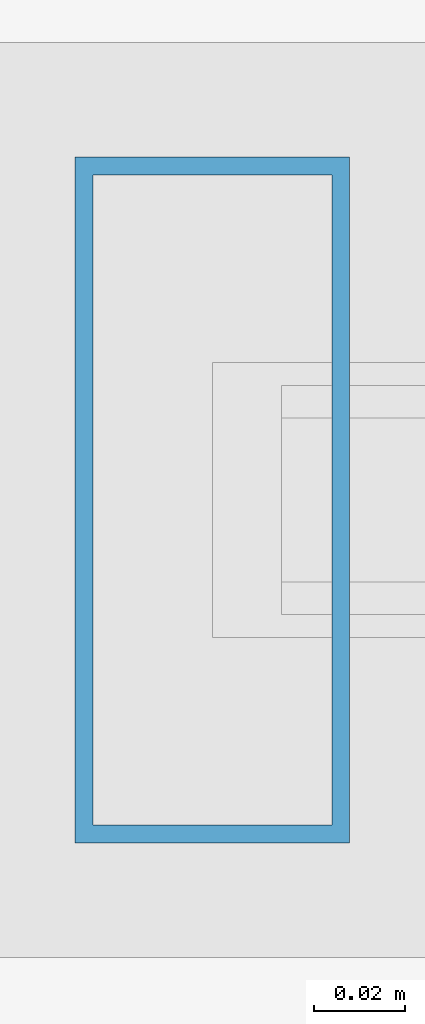
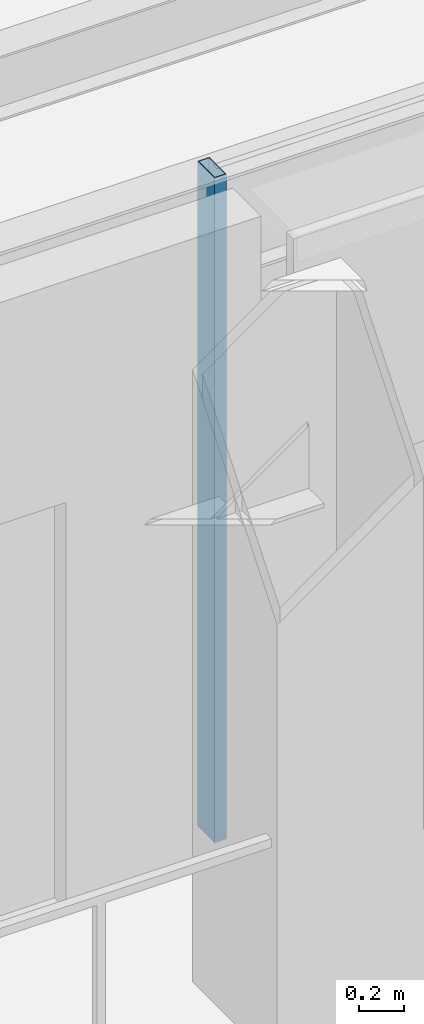
# One storey, part 6 of 28: 1 member, 1 element without a shape of its own.
"""IFC4 building model written with IfcOpenShell, lengths in metres."""

from ifc_helpers import new_model, si_unit, direction, frame, origin, origin_2d, place, context, subcontext, project, spatial, hollow_rectangle, extrude, material, layer, layer_set, material_profile, profile_set, type_object, element, aggregate, save


model = new_model("IFC4")

# Units and contexts
model_context = context("Model", 3, precision=1e-05, world=origin(), true_north=direction((0.0, 1.0)))
body_context = subcontext(model_context, "Body", "Model", "MODEL_VIEW")
ifc_project = project(units=[si_unit("LENGTHUNIT", "METRE"), si_unit("AREAUNIT", "SQUARE_METRE"), si_unit("VOLUMEUNIT", "CUBIC_METRE"), si_unit("PLANEANGLEUNIT", "RADIAN"), si_unit("MASSUNIT", "GRAM", prefix="KILO")], contexts=[model_context])

# Site, building, storey
site_placement = place(None, origin())
site = spatial("IfcSite", under=ifc_project, at=site_placement, CompositionType="ELEMENT")
building_placement = place(site_placement, origin())
building = spatial("IfcBuilding", under=site, at=building_placement, Name="Brelmoor Portico Tower", CompositionType="ELEMENT")
storey_placement = place(building_placement, frame((0.0, 0.0, 265.199951171875)))
storey = spatial("IfcBuildingStorey", under=building, at=storey_placement, Name="L70", CompositionType="ELEMENT", Elevation=265.199951171875)

# Curtain wall, member
ifc_material = material(Name="Anodised Aluminium Alloy 6063-T6", Category="aluminium")
ifc_layer = layer(ifc_material, 0.179931640625)
ifc_layer_set = layer_set([ifc_layer], Name="Anodised Aluminium Alloy 6063-T6")
curtain_wall_type = type_object("IfcCurtainWallType", Name="CW-TOWER-Z4", PredefinedType="NOTDEFINED", material=ifc_layer_set)
curtain_wall_placement = place(storey_placement, origin())
curtain_wall = element("IfcCurtainWall", 1, at=curtain_wall_placement, inside=storey, type_object=curtain_wall_type, Name="L70 Curtain Wall CW-L70-1R-1", PredefinedType="NOTDEFINED")
ifc_material_profile = material_profile(ifc_material, hollow_rectangle(XDim=0.06005859375, YDim=0.14990234375, WallThickness=0.00390625, at=origin_2d()), Name="ALU MULLION 60x150")
ifc_profile_set = profile_set([ifc_material_profile], Name="Anodised Aluminium Alloy 6063-T6")
member_type = type_object("IfcMemberType", Name="MB-CW-MULL-150", PredefinedType="MULLION", material=ifc_profile_set)
member_placement = place(storey_placement, frame((-2.0, -17.550048828125, -0.199951171875), z_axis=(0.0, 0.0, 1.0), x_axis=(1.0, 0.0, 0.0)))
member = element("IfcMember", 2, at=member_placement, type_object=member_type, Name="CW-L70-1R-1 Mullion 00", PredefinedType="MULLION", context=body_context, shape_type="SweptSolid", body=[
    extrude(hollow_rectangle(XDim=0.06005859375, YDim=0.14990234375, WallThickness=0.00390625, at=origin_2d()), origin(), (0.0, 0.0, 1.0), 3.60009765625),
])
aggregate(curtain_wall, [member])

save(model, "model.ifc")
